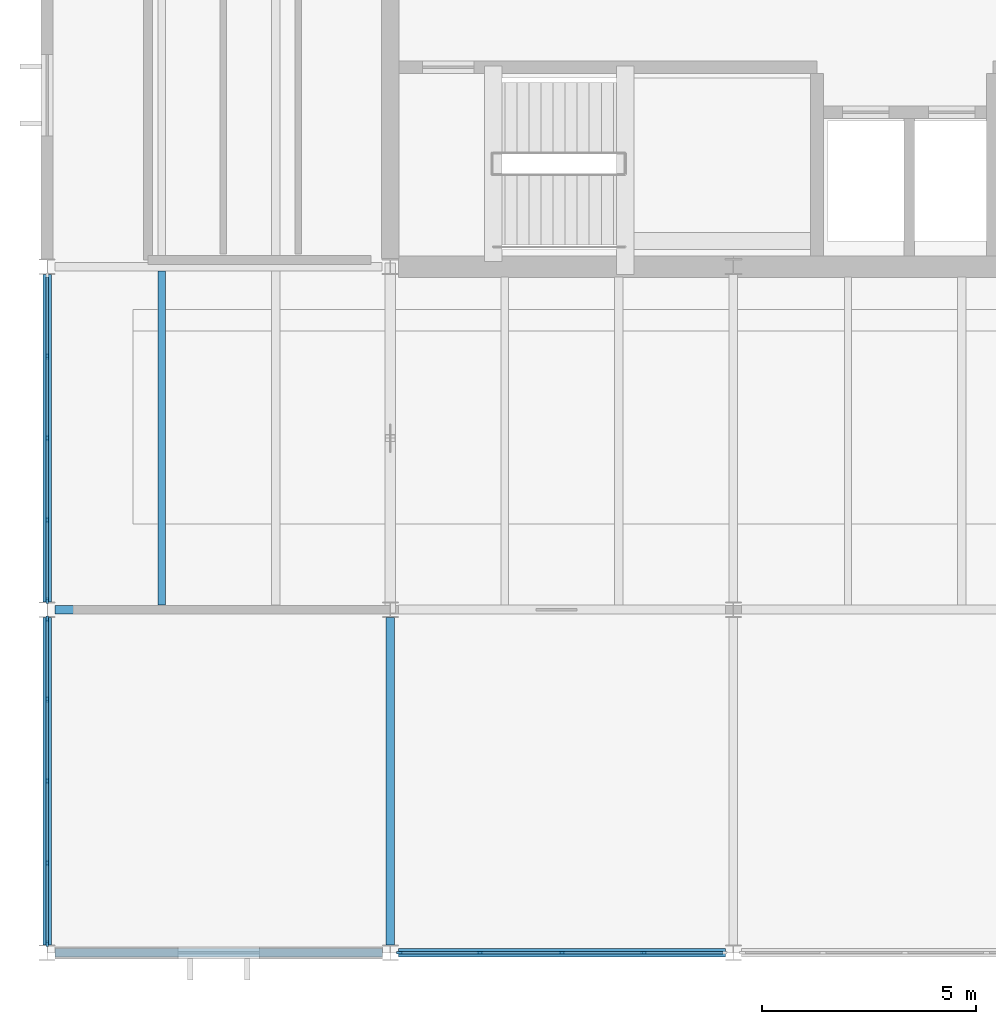
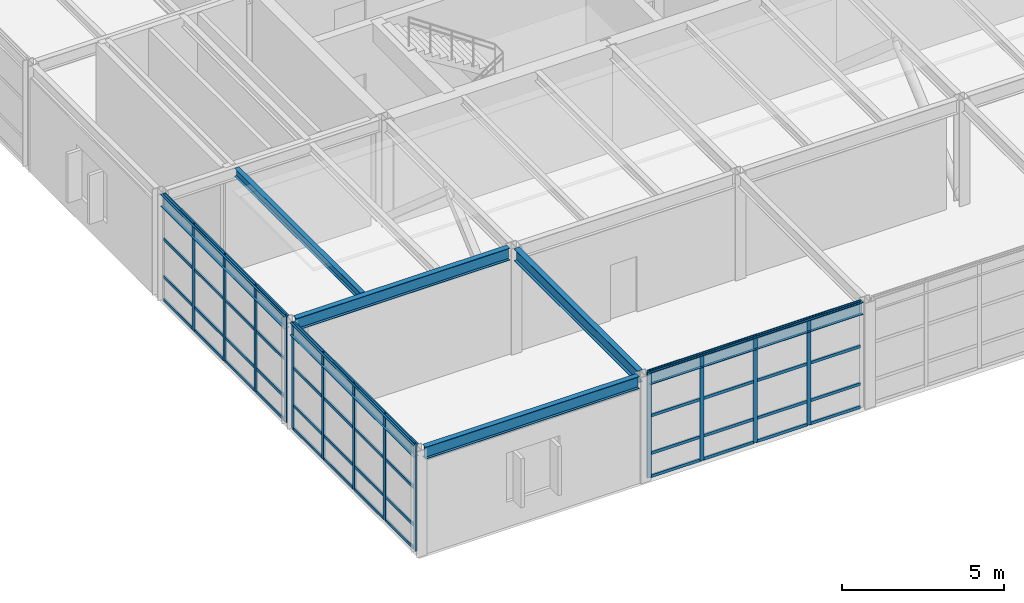
# One storey, part 9 of 50: 61 members, 7 beams, 3 elements without a shape of their own.
"""IFC4 building model written with IfcOpenShell, lengths in metres."""

from ifc_helpers import new_model, si_unit, direction, frame, origin, origin_2d, place, context, subcontext, project, spatial, rectangle, i_section, extrude, material, layer, layer_set, material_profile, profile_set, type_object, element, aggregate, save


model = new_model("IFC4")

# Units and contexts
model_context = context("Model", 3, precision=1e-05, world=origin(), true_north=direction((0.0, 1.0)))
body_context = subcontext(model_context, "Body", "Model", "MODEL_VIEW")
ifc_project = project(units=[si_unit("LENGTHUNIT", "METRE"), si_unit("AREAUNIT", "SQUARE_METRE"), si_unit("VOLUMEUNIT", "CUBIC_METRE"), si_unit("PLANEANGLEUNIT", "RADIAN"), si_unit("MASSUNIT", "GRAM", prefix="KILO")], contexts=[model_context])

# Site, building, storey
site_placement = place(None, origin())
site = spatial("IfcSite", under=ifc_project, at=site_placement, CompositionType="ELEMENT")
building_placement = place(site_placement, origin())
building = spatial("IfcBuilding", under=site, at=building_placement, Name="Varnela Railside Interchange", CompositionType="ELEMENT")
storey_placement = place(building_placement, frame((0.0, 0.0, 15.39990234375)))
storey = spatial("IfcBuildingStorey", under=building, at=storey_placement, Name="L03", CompositionType="ELEMENT", Elevation=15.39990234375)

# Beam
ifc_material_1 = material(Name="Steel AR 350 (350 MPa)", Category="steel")
ifc_material_profile_1 = material_profile(ifc_material_1, i_section(OverallWidth=0.1650390625, OverallDepth=0.31005859375, WebThickness=0.005859375, FlangeThickness=0.009765625, at=origin_2d()), Name="W310x38.7")
ifc_profile_set_1 = profile_set([ifc_material_profile_1], Name="Steel AR 350 (350 MPa)")
beam_type_1 = type_object("IfcBeamType", Name="Composite Floor Joist J-04", PredefinedType="JOIST", material=ifc_profile_set_1)
beam_placement = place(storey_placement, frame((6.669921875, 46.1044921875, 3.84521484375), z_axis=(0.0, 1.0, 0.0), x_axis=(-1.0, 0.0, 0.0)))
element("IfcBeam", 1, at=beam_placement, inside=storey, type_object=beam_type_1, Name="Composite Floor Joist J-04 (L03) (BM-2120)", PredefinedType="JOIST", context=body_context, shape_type="SweptSolid", body=[
    extrude(i_section(OverallWidth=0.1650390625, OverallDepth=0.31005859375, WebThickness=0.005859375, FlangeThickness=0.009765625, at=origin_2d()), origin(), (0.0, 0.0, 1.0), 7.791015625),
])

# Curtain wall, members
ifc_material_2 = material(Name="Aluminium 6063-T6", Category="aluminium")
ifc_layer = layer(ifc_material_2, 0.035888671875)
ifc_layer_set = layer_set([ifc_layer], Name="Aluminium 6063-T6")
curtain_wall_type = type_object("IfcCurtainWallType", Name="Operations Wing Facade Curtain Wall CW-03", PredefinedType="USERDEFINED", material=ifc_layer_set)
curtain_wall_1_placement = place(storey_placement, origin())
curtain_wall_1 = element("IfcCurtainWall", 2, at=curtain_wall_1_placement, inside=storey, type_object=curtain_wall_type, Name="Curtain Wall CW-03 (L03) (CW-099)", ObjectType="CURTAIN WALL", PredefinedType="USERDEFINED")
ifc_material_profile_2 = material_profile(ifc_material_2, rectangle(XDim=0.06005859375, YDim=0.139892578125, at=origin_2d()), Name="ALU 60x140")
ifc_profile_set_2 = profile_set([ifc_material_profile_2], Name="Aluminium 6063-T6")
member_type_1 = type_object("IfcMemberType", Name="Curtain Wall Mullion ML-01", PredefinedType="MULLION", material=ifc_profile_set_2)
member_1_placement = place(storey_placement, frame((17.90673828125, 38.0, 0.0), z_axis=(0.0, 0.0, 1.0), x_axis=(0.0, -1.0, 0.0)))
member_1 = element("IfcMember", 3, at=member_1_placement, type_object=member_type_1, Name="CW-03 mullion 2", PredefinedType="MULLION", context=body_context, shape_type="SweptSolid", body=[
    extrude(rectangle(XDim=0.06005859375, YDim=0.139892578125, at=origin_2d()), origin(), (0.0, 0.0, 1.0), 4.0),
])
member_2_placement = place(storey_placement, frame((16.0, 38.0, 0.0), z_axis=(0.0, 0.0, 1.0), x_axis=(0.0, -1.0, 0.0)))
member_2 = element("IfcMember", 4, at=member_2_placement, type_object=member_type_1, Name="CW-03 mullion 3", PredefinedType="MULLION", context=body_context, shape_type="SweptSolid", body=[
    extrude(rectangle(XDim=0.06005859375, YDim=0.139892578125, at=origin_2d()), origin(), (0.0, 0.0, 1.0), 4.0),
])
member_3_placement = place(storey_placement, frame((14.09326171875, 38.0, 0.0), z_axis=(0.0, 0.0, 1.0), x_axis=(0.0, -1.0, 0.0)))
member_3 = element("IfcMember", 5, at=member_3_placement, type_object=member_type_1, Name="CW-03 mullion 4", PredefinedType="MULLION", context=body_context, shape_type="SweptSolid", body=[
    extrude(rectangle(XDim=0.06005859375, YDim=0.139892578125, at=origin_2d()), origin(), (0.0, 0.0, 1.0), 4.0),
])
member_4_placement = place(storey_placement, frame((12.216552734375, 38.0, 0.0), z_axis=(0.0, 0.0, 1.0), x_axis=(0.0, -1.0, 0.0)))
member_4 = element("IfcMember", 6, at=member_4_placement, type_object=member_type_1, Name="CW-03 mullion 5", PredefinedType="MULLION", context=body_context, shape_type="SweptSolid", body=[
    extrude(rectangle(XDim=0.06005859375, YDim=0.139892578125, at=origin_2d()), origin(), (0.0, 0.0, 1.0), 4.0),
])

curtain_wall_2_placement = place(storey_placement, origin())
curtain_wall_2 = element("IfcCurtainWall", 7, at=curtain_wall_2_placement, inside=storey, type_object=curtain_wall_type, Name="Curtain Wall CW-03 (L03) (CW-100)", ObjectType="CURTAIN WALL", PredefinedType="USERDEFINED")
member_5_placement = place(storey_placement, frame((4.0, 38.214111328125, 0.0), z_axis=(0.0, 0.0, 1.0), x_axis=(-1.0, 0.0, 0.0)))
member_5 = element("IfcMember", 8, at=member_5_placement, type_object=member_type_1, Name="CW-03 mullion 1", PredefinedType="MULLION", context=body_context, shape_type="SweptSolid", body=[
    extrude(rectangle(XDim=0.06005859375, YDim=0.139892578125, at=origin_2d()), origin(), (0.0, 0.0, 1.0), 4.0),
])
member_6_placement = place(storey_placement, frame((4.0, 40.092041015625, 0.0), z_axis=(0.0, 0.0, 1.0), x_axis=(-1.0, 0.0, 0.0)))
member_6 = element("IfcMember", 9, at=member_6_placement, type_object=member_type_1, Name="CW-03 mullion 2", PredefinedType="MULLION", context=body_context, shape_type="SweptSolid", body=[
    extrude(rectangle(XDim=0.06005859375, YDim=0.139892578125, at=origin_2d()), origin(), (0.0, 0.0, 1.0), 4.0),
])
member_7_placement = place(storey_placement, frame((4.0, 42.0, 0.0), z_axis=(0.0, 0.0, 1.0), x_axis=(-1.0, 0.0, 0.0)))
member_7 = element("IfcMember", 10, at=member_7_placement, type_object=member_type_1, Name="CW-03 mullion 3", PredefinedType="MULLION", context=body_context, shape_type="SweptSolid", body=[
    extrude(rectangle(XDim=0.06005859375, YDim=0.139892578125, at=origin_2d()), origin(), (0.0, 0.0, 1.0), 4.0),
])
member_8_placement = place(storey_placement, frame((4.0, 43.907958984375, 0.0), z_axis=(0.0, 0.0, 1.0), x_axis=(-1.0, 0.0, 0.0)))
member_8 = element("IfcMember", 11, at=member_8_placement, type_object=member_type_1, Name="CW-03 mullion 4", PredefinedType="MULLION", context=body_context, shape_type="SweptSolid", body=[
    extrude(rectangle(XDim=0.06005859375, YDim=0.139892578125, at=origin_2d()), origin(), (0.0, 0.0, 1.0), 4.0),
])
member_9_placement = place(storey_placement, frame((4.0, 45.785888671875, 0.0), z_axis=(0.0, 0.0, 1.0), x_axis=(-1.0, 0.0, 0.0)))
member_9 = element("IfcMember", 12, at=member_9_placement, type_object=member_type_1, Name="CW-03 mullion 5", PredefinedType="MULLION", context=body_context, shape_type="SweptSolid", body=[
    extrude(rectangle(XDim=0.06005859375, YDim=0.139892578125, at=origin_2d()), origin(), (0.0, 0.0, 1.0), 4.0),
])

curtain_wall_3_placement = place(storey_placement, origin())
curtain_wall_3 = element("IfcCurtainWall", 13, at=curtain_wall_3_placement, inside=storey, type_object=curtain_wall_type, Name="Curtain Wall CW-03 (L03) (CW-101)", ObjectType="CURTAIN WALL", PredefinedType="USERDEFINED")
member_10_placement = place(storey_placement, frame((4.0, 46.214111328125, 0.0), z_axis=(0.0, 0.0, 1.0), x_axis=(-1.0, 0.0, 0.0)))
member_10 = element("IfcMember", 14, at=member_10_placement, type_object=member_type_1, Name="CW-03 mullion 1", PredefinedType="MULLION", context=body_context, shape_type="SweptSolid", body=[
    extrude(rectangle(XDim=0.06005859375, YDim=0.139892578125, at=origin_2d()), origin(), (0.0, 0.0, 1.0), 4.0),
])
member_11_placement = place(storey_placement, frame((4.0, 48.092041015625, 0.0), z_axis=(0.0, 0.0, 1.0), x_axis=(-1.0, 0.0, 0.0)))
member_11 = element("IfcMember", 15, at=member_11_placement, type_object=member_type_1, Name="CW-03 mullion 2", PredefinedType="MULLION", context=body_context, shape_type="SweptSolid", body=[
    extrude(rectangle(XDim=0.06005859375, YDim=0.139892578125, at=origin_2d()), origin(), (0.0, 0.0, 1.0), 4.0),
])
member_12_placement = place(storey_placement, frame((4.0, 50.0, 0.0), z_axis=(0.0, 0.0, 1.0), x_axis=(-1.0, 0.0, 0.0)))
member_12 = element("IfcMember", 16, at=member_12_placement, type_object=member_type_1, Name="CW-03 mullion 3", PredefinedType="MULLION", context=body_context, shape_type="SweptSolid", body=[
    extrude(rectangle(XDim=0.06005859375, YDim=0.139892578125, at=origin_2d()), origin(), (0.0, 0.0, 1.0), 4.0),
])
member_13_placement = place(storey_placement, frame((4.0, 51.907958984375, 0.0), z_axis=(0.0, 0.0, 1.0), x_axis=(-1.0, 0.0, 0.0)))
member_13 = element("IfcMember", 17, at=member_13_placement, type_object=member_type_1, Name="CW-03 mullion 4", PredefinedType="MULLION", context=body_context, shape_type="SweptSolid", body=[
    extrude(rectangle(XDim=0.06005859375, YDim=0.139892578125, at=origin_2d()), origin(), (0.0, 0.0, 1.0), 4.0),
])

# Member
ifc_material_profile_3 = material_profile(ifc_material_2, rectangle(XDim=0.06005859375, YDim=0.110107421875, at=origin_2d()), Name="ALU 60x110")
ifc_profile_set_3 = profile_set([ifc_material_profile_3], Name="Aluminium 6063-T6")
member_type_2 = type_object("IfcMemberType", Name="Curtain Wall Transom TR-01", PredefinedType="USERDEFINED", material=ifc_profile_set_3)
member_14_placement = place(storey_placement, frame((19.75341796875, 38.0, 0.030029296875), z_axis=(-1.0, 0.0, 0.0), x_axis=(0.0, -1.0, 0.0)))
member_14 = element("IfcMember", 18, at=member_14_placement, type_object=member_type_2, Name="CW-03 transom 1.1", ObjectType="TRANSOM", PredefinedType="USERDEFINED", context=body_context, shape_type="SweptSolid", body=[
    extrude(rectangle(XDim=0.06005859375, YDim=0.110107421875, at=origin_2d()), origin(), (0.0, 0.0, 1.0), 1.816650390625),
])

member_15_placement = place(storey_placement, frame((19.75341796875, 38.0, 0.900146484375), z_axis=(-1.0, 0.0, 0.0), x_axis=(0.0, -1.0, 0.0)))
member_15 = element("IfcMember", 19, at=member_15_placement, type_object=member_type_2, Name="CW-03 transom 1.2", ObjectType="TRANSOM", PredefinedType="USERDEFINED", context=body_context, shape_type="SweptSolid", body=[
    extrude(rectangle(XDim=0.06005859375, YDim=0.110107421875, at=origin_2d()), origin(), (0.0, 0.0, 1.0), 1.816650390625),
])

member_16_placement = place(storey_placement, frame((19.75341796875, 38.0, 2.320068359375), z_axis=(-1.0, 0.0, 0.0), x_axis=(0.0, -1.0, 0.0)))
member_16 = element("IfcMember", 20, at=member_16_placement, type_object=member_type_2, Name="CW-03 transom 1.3", ObjectType="TRANSOM", PredefinedType="USERDEFINED", context=body_context, shape_type="SweptSolid", body=[
    extrude(rectangle(XDim=0.06005859375, YDim=0.110107421875, at=origin_2d()), origin(), (0.0, 0.0, 1.0), 1.816650390625),
])

member_17_placement = place(storey_placement, frame((19.75341796875, 38.0, 3.97021484375), z_axis=(-1.0, 0.0, 0.0), x_axis=(0.0, -1.0, 0.0)))
member_17 = element("IfcMember", 21, at=member_17_placement, type_object=member_type_2, Name="CW-03 transom 1.4", ObjectType="TRANSOM", PredefinedType="USERDEFINED", context=body_context, shape_type="SweptSolid", body=[
    extrude(rectangle(XDim=0.06005859375, YDim=0.110107421875, at=origin_2d()), origin(), (0.0, 0.0, 1.0), 1.816650390625),
])

member_18_placement = place(storey_placement, frame((17.876708984375, 38.0, 0.030029296875), z_axis=(-1.0, 0.0, 0.0), x_axis=(0.0, -1.0, 0.0)))
member_18 = element("IfcMember", 22, at=member_18_placement, type_object=member_type_2, Name="CW-03 transom 2.1", ObjectType="TRANSOM", PredefinedType="USERDEFINED", context=body_context, shape_type="SweptSolid", body=[
    extrude(rectangle(XDim=0.06005859375, YDim=0.110107421875, at=origin_2d()), origin(), (0.0, 0.0, 1.0), 1.8466796875),
])

member_19_placement = place(storey_placement, frame((17.876708984375, 38.0, 0.900146484375), z_axis=(-1.0, 0.0, 0.0), x_axis=(0.0, -1.0, 0.0)))
member_19 = element("IfcMember", 23, at=member_19_placement, type_object=member_type_2, Name="CW-03 transom 2.2", ObjectType="TRANSOM", PredefinedType="USERDEFINED", context=body_context, shape_type="SweptSolid", body=[
    extrude(rectangle(XDim=0.06005859375, YDim=0.110107421875, at=origin_2d()), origin(), (0.0, 0.0, 1.0), 1.8466796875),
])

member_20_placement = place(storey_placement, frame((17.876708984375, 38.0, 2.320068359375), z_axis=(-1.0, 0.0, 0.0), x_axis=(0.0, -1.0, 0.0)))
member_20 = element("IfcMember", 24, at=member_20_placement, type_object=member_type_2, Name="CW-03 transom 2.3", ObjectType="TRANSOM", PredefinedType="USERDEFINED", context=body_context, shape_type="SweptSolid", body=[
    extrude(rectangle(XDim=0.06005859375, YDim=0.110107421875, at=origin_2d()), origin(), (0.0, 0.0, 1.0), 1.8466796875),
])

member_21_placement = place(storey_placement, frame((17.876708984375, 38.0, 3.97021484375), z_axis=(-1.0, 0.0, 0.0), x_axis=(0.0, -1.0, 0.0)))
member_21 = element("IfcMember", 25, at=member_21_placement, type_object=member_type_2, Name="CW-03 transom 2.4", ObjectType="TRANSOM", PredefinedType="USERDEFINED", context=body_context, shape_type="SweptSolid", body=[
    extrude(rectangle(XDim=0.06005859375, YDim=0.110107421875, at=origin_2d()), origin(), (0.0, 0.0, 1.0), 1.8466796875),
])

member_22_placement = place(storey_placement, frame((15.969970703125, 38.0, 0.030029296875), z_axis=(-1.0, 0.0, 0.0), x_axis=(0.0, -1.0, 0.0)))
member_22 = element("IfcMember", 26, at=member_22_placement, type_object=member_type_2, Name="CW-03 transom 3.1", ObjectType="TRANSOM", PredefinedType="USERDEFINED", context=body_context, shape_type="SweptSolid", body=[
    extrude(rectangle(XDim=0.06005859375, YDim=0.110107421875, at=origin_2d()), origin(), (0.0, 0.0, 1.0), 1.8466796875),
])

member_23_placement = place(storey_placement, frame((15.969970703125, 38.0, 0.900146484375), z_axis=(-1.0, 0.0, 0.0), x_axis=(0.0, -1.0, 0.0)))
member_23 = element("IfcMember", 27, at=member_23_placement, type_object=member_type_2, Name="CW-03 transom 3.2", ObjectType="TRANSOM", PredefinedType="USERDEFINED", context=body_context, shape_type="SweptSolid", body=[
    extrude(rectangle(XDim=0.06005859375, YDim=0.110107421875, at=origin_2d()), origin(), (0.0, 0.0, 1.0), 1.8466796875),
])

member_24_placement = place(storey_placement, frame((15.969970703125, 38.0, 2.320068359375), z_axis=(-1.0, 0.0, 0.0), x_axis=(0.0, -1.0, 0.0)))
member_24 = element("IfcMember", 28, at=member_24_placement, type_object=member_type_2, Name="CW-03 transom 3.3", ObjectType="TRANSOM", PredefinedType="USERDEFINED", context=body_context, shape_type="SweptSolid", body=[
    extrude(rectangle(XDim=0.06005859375, YDim=0.110107421875, at=origin_2d()), origin(), (0.0, 0.0, 1.0), 1.8466796875),
])

member_25_placement = place(storey_placement, frame((15.969970703125, 38.0, 3.97021484375), z_axis=(-1.0, 0.0, 0.0), x_axis=(0.0, -1.0, 0.0)))
member_25 = element("IfcMember", 29, at=member_25_placement, type_object=member_type_2, Name="CW-03 transom 3.4", ObjectType="TRANSOM", PredefinedType="USERDEFINED", context=body_context, shape_type="SweptSolid", body=[
    extrude(rectangle(XDim=0.06005859375, YDim=0.110107421875, at=origin_2d()), origin(), (0.0, 0.0, 1.0), 1.8466796875),
])

member_26_placement = place(storey_placement, frame((14.063232421875, 38.0, 0.030029296875), z_axis=(-1.0, 0.0, 0.0), x_axis=(0.0, -1.0, 0.0)))
member_26 = element("IfcMember", 30, at=member_26_placement, type_object=member_type_2, Name="CW-03 transom 4.1", ObjectType="TRANSOM", PredefinedType="USERDEFINED", context=body_context, shape_type="SweptSolid", body=[
    extrude(rectangle(XDim=0.06005859375, YDim=0.110107421875, at=origin_2d()), origin(), (0.0, 0.0, 1.0), 1.816650390625),
])

member_27_placement = place(storey_placement, frame((14.063232421875, 38.0, 0.900146484375), z_axis=(-1.0, 0.0, 0.0), x_axis=(0.0, -1.0, 0.0)))
member_27 = element("IfcMember", 31, at=member_27_placement, type_object=member_type_2, Name="CW-03 transom 4.2", ObjectType="TRANSOM", PredefinedType="USERDEFINED", context=body_context, shape_type="SweptSolid", body=[
    extrude(rectangle(XDim=0.06005859375, YDim=0.110107421875, at=origin_2d()), origin(), (0.0, 0.0, 1.0), 1.816650390625),
])

member_28_placement = place(storey_placement, frame((14.063232421875, 38.0, 2.320068359375), z_axis=(-1.0, 0.0, 0.0), x_axis=(0.0, -1.0, 0.0)))
member_28 = element("IfcMember", 32, at=member_28_placement, type_object=member_type_2, Name="CW-03 transom 4.3", ObjectType="TRANSOM", PredefinedType="USERDEFINED", context=body_context, shape_type="SweptSolid", body=[
    extrude(rectangle(XDim=0.06005859375, YDim=0.110107421875, at=origin_2d()), origin(), (0.0, 0.0, 1.0), 1.816650390625),
])

member_29_placement = place(storey_placement, frame((14.063232421875, 38.0, 3.97021484375), z_axis=(-1.0, 0.0, 0.0), x_axis=(0.0, -1.0, 0.0)))
member_29 = element("IfcMember", 33, at=member_29_placement, type_object=member_type_2, Name="CW-03 transom 4.4", ObjectType="TRANSOM", PredefinedType="USERDEFINED", context=body_context, shape_type="SweptSolid", body=[
    extrude(rectangle(XDim=0.06005859375, YDim=0.110107421875, at=origin_2d()), origin(), (0.0, 0.0, 1.0), 1.816650390625),
])

aggregate(curtain_wall_1, [member_1, member_2, member_3, member_4, member_14, member_15, member_16, member_17, member_18, member_19, member_20, member_21, member_22, member_23, member_24, member_25, member_26, member_27, member_28, member_29])

member_30_placement = place(storey_placement, frame((4.0, 38.243896484375, 0.030029296875), z_axis=(0.0, 1.0, 0.0), x_axis=(-1.0, 0.0, 0.0)))
member_30 = element("IfcMember", 34, at=member_30_placement, type_object=member_type_2, Name="CW-03 transom 1.1", ObjectType="TRANSOM", PredefinedType="USERDEFINED", context=body_context, shape_type="SweptSolid", body=[
    extrude(rectangle(XDim=0.06005859375, YDim=0.110107421875, at=origin_2d()), origin(), (0.0, 0.0, 1.0), 1.818115234375),
])

member_31_placement = place(storey_placement, frame((4.0, 38.243896484375, 0.900146484375), z_axis=(0.0, 1.0, 0.0), x_axis=(-1.0, 0.0, 0.0)))
member_31 = element("IfcMember", 35, at=member_31_placement, type_object=member_type_2, Name="CW-03 transom 1.2", ObjectType="TRANSOM", PredefinedType="USERDEFINED", context=body_context, shape_type="SweptSolid", body=[
    extrude(rectangle(XDim=0.06005859375, YDim=0.110107421875, at=origin_2d()), origin(), (0.0, 0.0, 1.0), 1.818115234375),
])

member_32_placement = place(storey_placement, frame((4.0, 38.243896484375, 2.320068359375), z_axis=(0.0, 1.0, 0.0), x_axis=(-1.0, 0.0, 0.0)))
member_32 = element("IfcMember", 36, at=member_32_placement, type_object=member_type_2, Name="CW-03 transom 1.3", ObjectType="TRANSOM", PredefinedType="USERDEFINED", context=body_context, shape_type="SweptSolid", body=[
    extrude(rectangle(XDim=0.06005859375, YDim=0.110107421875, at=origin_2d()), origin(), (0.0, 0.0, 1.0), 1.818115234375),
])

member_33_placement = place(storey_placement, frame((4.0, 38.243896484375, 3.97021484375), z_axis=(0.0, 1.0, 0.0), x_axis=(-1.0, 0.0, 0.0)))
member_33 = element("IfcMember", 37, at=member_33_placement, type_object=member_type_2, Name="CW-03 transom 1.4", ObjectType="TRANSOM", PredefinedType="USERDEFINED", context=body_context, shape_type="SweptSolid", body=[
    extrude(rectangle(XDim=0.06005859375, YDim=0.110107421875, at=origin_2d()), origin(), (0.0, 0.0, 1.0), 1.818115234375),
])

member_34_placement = place(storey_placement, frame((4.0, 40.1220703125, 0.030029296875), z_axis=(0.0, 1.0, 0.0), x_axis=(-1.0, 0.0, 0.0)))
member_34 = element("IfcMember", 38, at=member_34_placement, type_object=member_type_2, Name="CW-03 transom 2.1", ObjectType="TRANSOM", PredefinedType="USERDEFINED", context=body_context, shape_type="SweptSolid", body=[
    extrude(rectangle(XDim=0.06005859375, YDim=0.110107421875, at=origin_2d()), origin(), (0.0, 0.0, 1.0), 1.847900390625),
])

member_35_placement = place(storey_placement, frame((4.0, 40.1220703125, 0.900146484375), z_axis=(0.0, 1.0, 0.0), x_axis=(-1.0, 0.0, 0.0)))
member_35 = element("IfcMember", 39, at=member_35_placement, type_object=member_type_2, Name="CW-03 transom 2.2", ObjectType="TRANSOM", PredefinedType="USERDEFINED", context=body_context, shape_type="SweptSolid", body=[
    extrude(rectangle(XDim=0.06005859375, YDim=0.110107421875, at=origin_2d()), origin(), (0.0, 0.0, 1.0), 1.847900390625),
])

member_36_placement = place(storey_placement, frame((4.0, 40.1220703125, 2.320068359375), z_axis=(0.0, 1.0, 0.0), x_axis=(-1.0, 0.0, 0.0)))
member_36 = element("IfcMember", 40, at=member_36_placement, type_object=member_type_2, Name="CW-03 transom 2.3", ObjectType="TRANSOM", PredefinedType="USERDEFINED", context=body_context, shape_type="SweptSolid", body=[
    extrude(rectangle(XDim=0.06005859375, YDim=0.110107421875, at=origin_2d()), origin(), (0.0, 0.0, 1.0), 1.847900390625),
])

member_37_placement = place(storey_placement, frame((4.0, 40.1220703125, 3.97021484375), z_axis=(0.0, 1.0, 0.0), x_axis=(-1.0, 0.0, 0.0)))
member_37 = element("IfcMember", 41, at=member_37_placement, type_object=member_type_2, Name="CW-03 transom 2.4", ObjectType="TRANSOM", PredefinedType="USERDEFINED", context=body_context, shape_type="SweptSolid", body=[
    extrude(rectangle(XDim=0.06005859375, YDim=0.110107421875, at=origin_2d()), origin(), (0.0, 0.0, 1.0), 1.847900390625),
])

member_38_placement = place(storey_placement, frame((4.0, 42.030029296875, 0.030029296875), z_axis=(0.0, 1.0, 0.0), x_axis=(-1.0, 0.0, 0.0)))
member_38 = element("IfcMember", 42, at=member_38_placement, type_object=member_type_2, Name="CW-03 transom 3.1", ObjectType="TRANSOM", PredefinedType="USERDEFINED", context=body_context, shape_type="SweptSolid", body=[
    extrude(rectangle(XDim=0.06005859375, YDim=0.110107421875, at=origin_2d()), origin(), (0.0, 0.0, 1.0), 1.847900390625),
])

member_39_placement = place(storey_placement, frame((4.0, 42.030029296875, 0.900146484375), z_axis=(0.0, 1.0, 0.0), x_axis=(-1.0, 0.0, 0.0)))
member_39 = element("IfcMember", 43, at=member_39_placement, type_object=member_type_2, Name="CW-03 transom 3.2", ObjectType="TRANSOM", PredefinedType="USERDEFINED", context=body_context, shape_type="SweptSolid", body=[
    extrude(rectangle(XDim=0.06005859375, YDim=0.110107421875, at=origin_2d()), origin(), (0.0, 0.0, 1.0), 1.847900390625),
])

member_40_placement = place(storey_placement, frame((4.0, 42.030029296875, 2.320068359375), z_axis=(0.0, 1.0, 0.0), x_axis=(-1.0, 0.0, 0.0)))
member_40 = element("IfcMember", 44, at=member_40_placement, type_object=member_type_2, Name="CW-03 transom 3.3", ObjectType="TRANSOM", PredefinedType="USERDEFINED", context=body_context, shape_type="SweptSolid", body=[
    extrude(rectangle(XDim=0.06005859375, YDim=0.110107421875, at=origin_2d()), origin(), (0.0, 0.0, 1.0), 1.847900390625),
])

member_41_placement = place(storey_placement, frame((4.0, 42.030029296875, 3.97021484375), z_axis=(0.0, 1.0, 0.0), x_axis=(-1.0, 0.0, 0.0)))
member_41 = element("IfcMember", 45, at=member_41_placement, type_object=member_type_2, Name="CW-03 transom 3.4", ObjectType="TRANSOM", PredefinedType="USERDEFINED", context=body_context, shape_type="SweptSolid", body=[
    extrude(rectangle(XDim=0.06005859375, YDim=0.110107421875, at=origin_2d()), origin(), (0.0, 0.0, 1.0), 1.847900390625),
])

member_42_placement = place(storey_placement, frame((4.0, 43.93798828125, 0.030029296875), z_axis=(0.0, 1.0, 0.0), x_axis=(-1.0, 0.0, 0.0)))
member_42 = element("IfcMember", 46, at=member_42_placement, type_object=member_type_2, Name="CW-03 transom 4.1", ObjectType="TRANSOM", PredefinedType="USERDEFINED", context=body_context, shape_type="SweptSolid", body=[
    extrude(rectangle(XDim=0.06005859375, YDim=0.110107421875, at=origin_2d()), origin(), (0.0, 0.0, 1.0), 1.818115234375),
])

member_43_placement = place(storey_placement, frame((4.0, 43.93798828125, 0.900146484375), z_axis=(0.0, 1.0, 0.0), x_axis=(-1.0, 0.0, 0.0)))
member_43 = element("IfcMember", 47, at=member_43_placement, type_object=member_type_2, Name="CW-03 transom 4.2", ObjectType="TRANSOM", PredefinedType="USERDEFINED", context=body_context, shape_type="SweptSolid", body=[
    extrude(rectangle(XDim=0.06005859375, YDim=0.110107421875, at=origin_2d()), origin(), (0.0, 0.0, 1.0), 1.818115234375),
])

member_44_placement = place(storey_placement, frame((4.0, 43.93798828125, 2.320068359375), z_axis=(0.0, 1.0, 0.0), x_axis=(-1.0, 0.0, 0.0)))
member_44 = element("IfcMember", 48, at=member_44_placement, type_object=member_type_2, Name="CW-03 transom 4.3", ObjectType="TRANSOM", PredefinedType="USERDEFINED", context=body_context, shape_type="SweptSolid", body=[
    extrude(rectangle(XDim=0.06005859375, YDim=0.110107421875, at=origin_2d()), origin(), (0.0, 0.0, 1.0), 1.818115234375),
])

member_45_placement = place(storey_placement, frame((4.0, 43.93798828125, 3.97021484375), z_axis=(0.0, 1.0, 0.0), x_axis=(-1.0, 0.0, 0.0)))
member_45 = element("IfcMember", 49, at=member_45_placement, type_object=member_type_2, Name="CW-03 transom 4.4", ObjectType="TRANSOM", PredefinedType="USERDEFINED", context=body_context, shape_type="SweptSolid", body=[
    extrude(rectangle(XDim=0.06005859375, YDim=0.110107421875, at=origin_2d()), origin(), (0.0, 0.0, 1.0), 1.818115234375),
])

aggregate(curtain_wall_2, [member_5, member_6, member_7, member_8, member_9, member_30, member_31, member_32, member_33, member_34, member_35, member_36, member_37, member_38, member_39, member_40, member_41, member_42, member_43, member_44, member_45])

member_46_placement = place(storey_placement, frame((4.0, 46.243896484375, 0.030029296875), z_axis=(0.0, 1.0, 0.0), x_axis=(-1.0, 0.0, 0.0)))
member_46 = element("IfcMember", 50, at=member_46_placement, type_object=member_type_2, Name="CW-03 transom 1.1", ObjectType="TRANSOM", PredefinedType="USERDEFINED", context=body_context, shape_type="SweptSolid", body=[
    extrude(rectangle(XDim=0.06005859375, YDim=0.110107421875, at=origin_2d()), origin(), (0.0, 0.0, 1.0), 1.818115234375),
])

member_47_placement = place(storey_placement, frame((4.0, 46.243896484375, 0.900146484375), z_axis=(0.0, 1.0, 0.0), x_axis=(-1.0, 0.0, 0.0)))
member_47 = element("IfcMember", 51, at=member_47_placement, type_object=member_type_2, Name="CW-03 transom 1.2", ObjectType="TRANSOM", PredefinedType="USERDEFINED", context=body_context, shape_type="SweptSolid", body=[
    extrude(rectangle(XDim=0.06005859375, YDim=0.110107421875, at=origin_2d()), origin(), (0.0, 0.0, 1.0), 1.818115234375),
])

member_48_placement = place(storey_placement, frame((4.0, 46.243896484375, 2.320068359375), z_axis=(0.0, 1.0, 0.0), x_axis=(-1.0, 0.0, 0.0)))
member_48 = element("IfcMember", 52, at=member_48_placement, type_object=member_type_2, Name="CW-03 transom 1.3", ObjectType="TRANSOM", PredefinedType="USERDEFINED", context=body_context, shape_type="SweptSolid", body=[
    extrude(rectangle(XDim=0.06005859375, YDim=0.110107421875, at=origin_2d()), origin(), (0.0, 0.0, 1.0), 1.818115234375),
])

member_49_placement = place(storey_placement, frame((4.0, 46.243896484375, 3.97021484375), z_axis=(0.0, 1.0, 0.0), x_axis=(-1.0, 0.0, 0.0)))
member_49 = element("IfcMember", 53, at=member_49_placement, type_object=member_type_2, Name="CW-03 transom 1.4", ObjectType="TRANSOM", PredefinedType="USERDEFINED", context=body_context, shape_type="SweptSolid", body=[
    extrude(rectangle(XDim=0.06005859375, YDim=0.110107421875, at=origin_2d()), origin(), (0.0, 0.0, 1.0), 1.818115234375),
])

member_50_placement = place(storey_placement, frame((4.0, 48.1220703125, 0.030029296875), z_axis=(0.0, 1.0, 0.0), x_axis=(-1.0, 0.0, 0.0)))
member_50 = element("IfcMember", 54, at=member_50_placement, type_object=member_type_2, Name="CW-03 transom 2.1", ObjectType="TRANSOM", PredefinedType="USERDEFINED", context=body_context, shape_type="SweptSolid", body=[
    extrude(rectangle(XDim=0.06005859375, YDim=0.110107421875, at=origin_2d()), origin(), (0.0, 0.0, 1.0), 1.847900390625),
])

member_51_placement = place(storey_placement, frame((4.0, 48.1220703125, 0.900146484375), z_axis=(0.0, 1.0, 0.0), x_axis=(-1.0, 0.0, 0.0)))
member_51 = element("IfcMember", 55, at=member_51_placement, type_object=member_type_2, Name="CW-03 transom 2.2", ObjectType="TRANSOM", PredefinedType="USERDEFINED", context=body_context, shape_type="SweptSolid", body=[
    extrude(rectangle(XDim=0.06005859375, YDim=0.110107421875, at=origin_2d()), origin(), (0.0, 0.0, 1.0), 1.847900390625),
])

member_52_placement = place(storey_placement, frame((4.0, 48.1220703125, 2.320068359375), z_axis=(0.0, 1.0, 0.0), x_axis=(-1.0, 0.0, 0.0)))
member_52 = element("IfcMember", 56, at=member_52_placement, type_object=member_type_2, Name="CW-03 transom 2.3", ObjectType="TRANSOM", PredefinedType="USERDEFINED", context=body_context, shape_type="SweptSolid", body=[
    extrude(rectangle(XDim=0.06005859375, YDim=0.110107421875, at=origin_2d()), origin(), (0.0, 0.0, 1.0), 1.847900390625),
])

member_53_placement = place(storey_placement, frame((4.0, 48.1220703125, 3.97021484375), z_axis=(0.0, 1.0, 0.0), x_axis=(-1.0, 0.0, 0.0)))
member_53 = element("IfcMember", 57, at=member_53_placement, type_object=member_type_2, Name="CW-03 transom 2.4", ObjectType="TRANSOM", PredefinedType="USERDEFINED", context=body_context, shape_type="SweptSolid", body=[
    extrude(rectangle(XDim=0.06005859375, YDim=0.110107421875, at=origin_2d()), origin(), (0.0, 0.0, 1.0), 1.847900390625),
])

member_54_placement = place(storey_placement, frame((4.0, 50.030029296875, 0.030029296875), z_axis=(0.0, 1.0, 0.0), x_axis=(-1.0, 0.0, 0.0)))
member_54 = element("IfcMember", 58, at=member_54_placement, type_object=member_type_2, Name="CW-03 transom 3.1", ObjectType="TRANSOM", PredefinedType="USERDEFINED", context=body_context, shape_type="SweptSolid", body=[
    extrude(rectangle(XDim=0.06005859375, YDim=0.110107421875, at=origin_2d()), origin(), (0.0, 0.0, 1.0), 1.847900390625),
])

member_55_placement = place(storey_placement, frame((4.0, 50.030029296875, 0.900146484375), z_axis=(0.0, 1.0, 0.0), x_axis=(-1.0, 0.0, 0.0)))
member_55 = element("IfcMember", 59, at=member_55_placement, type_object=member_type_2, Name="CW-03 transom 3.2", ObjectType="TRANSOM", PredefinedType="USERDEFINED", context=body_context, shape_type="SweptSolid", body=[
    extrude(rectangle(XDim=0.06005859375, YDim=0.110107421875, at=origin_2d()), origin(), (0.0, 0.0, 1.0), 1.847900390625),
])

member_56_placement = place(storey_placement, frame((4.0, 50.030029296875, 2.320068359375), z_axis=(0.0, 1.0, 0.0), x_axis=(-1.0, 0.0, 0.0)))
member_56 = element("IfcMember", 60, at=member_56_placement, type_object=member_type_2, Name="CW-03 transom 3.3", ObjectType="TRANSOM", PredefinedType="USERDEFINED", context=body_context, shape_type="SweptSolid", body=[
    extrude(rectangle(XDim=0.06005859375, YDim=0.110107421875, at=origin_2d()), origin(), (0.0, 0.0, 1.0), 1.847900390625),
])

member_57_placement = place(storey_placement, frame((4.0, 50.030029296875, 3.97021484375), z_axis=(0.0, 1.0, 0.0), x_axis=(-1.0, 0.0, 0.0)))
member_57 = element("IfcMember", 61, at=member_57_placement, type_object=member_type_2, Name="CW-03 transom 3.4", ObjectType="TRANSOM", PredefinedType="USERDEFINED", context=body_context, shape_type="SweptSolid", body=[
    extrude(rectangle(XDim=0.06005859375, YDim=0.110107421875, at=origin_2d()), origin(), (0.0, 0.0, 1.0), 1.847900390625),
])

member_58_placement = place(storey_placement, frame((4.0, 51.93798828125, 0.030029296875), z_axis=(0.0, 1.0, 0.0), x_axis=(-1.0, 0.0, 0.0)))
member_58 = element("IfcMember", 62, at=member_58_placement, type_object=member_type_2, Name="CW-03 transom 4.1", ObjectType="TRANSOM", PredefinedType="USERDEFINED", context=body_context, shape_type="SweptSolid", body=[
    extrude(rectangle(XDim=0.06005859375, YDim=0.110107421875, at=origin_2d()), origin(), (0.0, 0.0, 1.0), 1.818115234375),
])

member_59_placement = place(storey_placement, frame((4.0, 51.93798828125, 0.900146484375), z_axis=(0.0, 1.0, 0.0), x_axis=(-1.0, 0.0, 0.0)))
member_59 = element("IfcMember", 63, at=member_59_placement, type_object=member_type_2, Name="CW-03 transom 4.2", ObjectType="TRANSOM", PredefinedType="USERDEFINED", context=body_context, shape_type="SweptSolid", body=[
    extrude(rectangle(XDim=0.06005859375, YDim=0.110107421875, at=origin_2d()), origin(), (0.0, 0.0, 1.0), 1.818115234375),
])

member_60_placement = place(storey_placement, frame((4.0, 51.93798828125, 2.320068359375), z_axis=(0.0, 1.0, 0.0), x_axis=(-1.0, 0.0, 0.0)))
member_60 = element("IfcMember", 64, at=member_60_placement, type_object=member_type_2, Name="CW-03 transom 4.3", ObjectType="TRANSOM", PredefinedType="USERDEFINED", context=body_context, shape_type="SweptSolid", body=[
    extrude(rectangle(XDim=0.06005859375, YDim=0.110107421875, at=origin_2d()), origin(), (0.0, 0.0, 1.0), 1.818115234375),
])

member_61_placement = place(storey_placement, frame((4.0, 51.93798828125, 3.97021484375), z_axis=(0.0, 1.0, 0.0), x_axis=(-1.0, 0.0, 0.0)))
member_61 = element("IfcMember", 65, at=member_61_placement, type_object=member_type_2, Name="CW-03 transom 4.4", ObjectType="TRANSOM", PredefinedType="USERDEFINED", context=body_context, shape_type="SweptSolid", body=[
    extrude(rectangle(XDim=0.06005859375, YDim=0.110107421875, at=origin_2d()), origin(), (0.0, 0.0, 1.0), 1.818115234375),
])

aggregate(curtain_wall_3, [member_10, member_11, member_12, member_13, member_46, member_47, member_48, member_49, member_50, member_51, member_52, member_53, member_54, member_55, member_56, member_57, member_58, member_59, member_60, member_61])

# Beams
ifc_material_profile_4 = material_profile(ifc_material_1, i_section(OverallWidth=0.19091796875, OverallDepth=0.4599609375, WebThickness=0.010009765625, FlangeThickness=0.01611328125, at=origin_2d()), Name="W460x82")
ifc_profile_set_4 = profile_set([ifc_material_profile_4], Name="Steel AR 350 (350 MPa)")
beam_type_2 = type_object("IfcBeamType", Name="Steel Perimeter Spandrel SP-01", PredefinedType="SPANDREL", material=ifc_profile_set_4)
for number, where, z_axis, x_axis, name in (
    (66, (4.1865234375, 38.0, 3.77001953125), (1.0, 0.0, 0.0), (0.0, 1.0, 0.0), "Steel Perimeter Spandrel SP-01 (L03) (BM-2221)"),
    (67, (12.1865234375, 38.0, 3.77001953125), (1.0, 0.0, 0.0), (0.0, 1.0, 0.0), "Steel Perimeter Spandrel SP-01 (L03) (BM-2215)"),
    (68, (4.1865234375, 46.0, 3.77001953125), (1.0, 0.0, 0.0), (0.0, 1.0, 0.0), "Steel Perimeter Spandrel SP-01 (L03) (BM-2230)"),
):
    element("IfcBeam", number, at=place(storey_placement, frame(where, z_axis=z_axis, x_axis=x_axis)), inside=storey, type_object=beam_type_2, Name=name, PredefinedType="SPANDREL", context=body_context, shape_type="SweptSolid", body=[
        extrude(i_section(OverallWidth=0.19091796875, OverallDepth=0.4599609375, WebThickness=0.010009765625, FlangeThickness=0.01611328125, at=origin_2d()), origin(), (0.0, 0.0, 1.0), 7.626953125),
    ])
for number, where, z_axis, x_axis, name in (
    (69, (4.0, 38.18408203125, 3.77001953125), (0.0, 1.0, 0.0), (-1.0, 0.0, 0.0), "Steel Perimeter Spandrel SP-01 (L03) (BM-2302)"),
    (70, (4.0, 46.18408203125, 3.77001953125), (0.0, 1.0, 0.0), (-1.0, 0.0, 0.0), "Steel Perimeter Spandrel SP-01 (L03) (BM-2303)"),
    (71, (12.0, 38.18408203125, 3.77001953125), (0.0, 1.0, 0.0), (-1.0, 0.0, 0.0), "Steel Perimeter Spandrel SP-01 (L03) (BM-2309)"),
):
    element("IfcBeam", number, at=place(storey_placement, frame(where, z_axis=z_axis, x_axis=x_axis)), inside=storey, type_object=beam_type_2, Name=name, PredefinedType="SPANDREL", context=body_context, shape_type="SweptSolid", body=[
        extrude(i_section(OverallWidth=0.19091796875, OverallDepth=0.4599609375, WebThickness=0.010009765625, FlangeThickness=0.01611328125, at=origin_2d()), origin(), (0.0, 0.0, 1.0), 7.6318359375),
    ])

save(model, "model.ifc")
